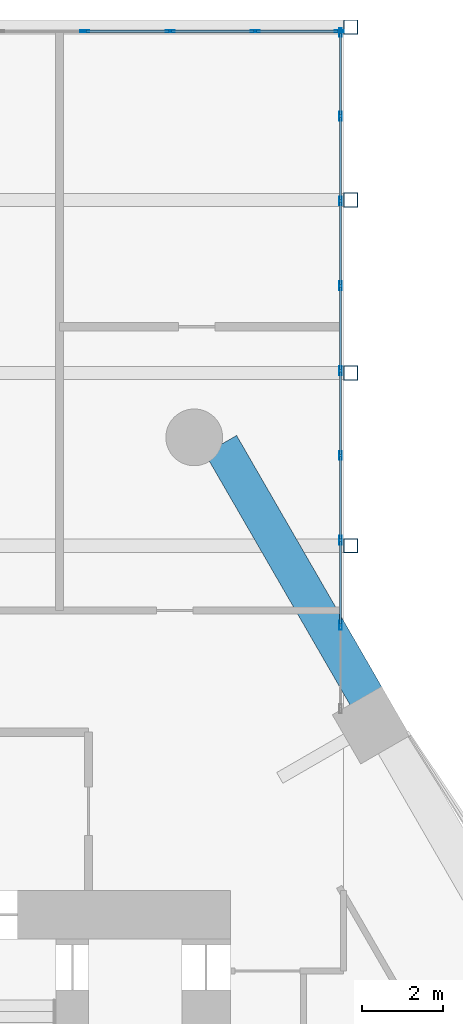
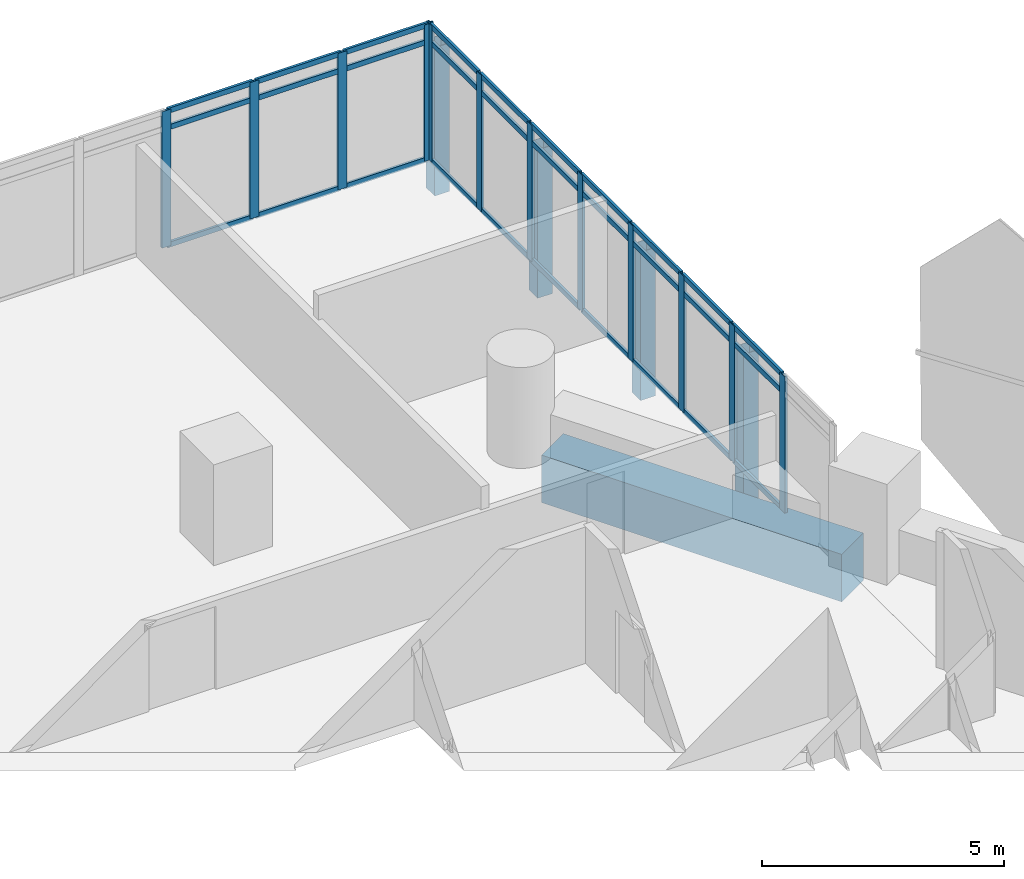
# One storey, part 22 of 35: 46 members, 1 beam, 2 elements without a shape of their own.
"""IFC4 building model written with IfcOpenShell, lengths in metres."""

from ifc_helpers import new_model, si_unit, direction, frame, origin, origin_2d, place, context, subcontext, project, spatial, rectangle, hollow_rectangle, extrude, material, material_profile, profile_set, type_object, element, aggregate, save


model = new_model("IFC4")

# Units and contexts
model_context = context("Model", 3, precision=1e-05, world=origin(), true_north=direction((0.0, 1.0)))
body_context = subcontext(model_context, "Body", "Model", "MODEL_VIEW")
ifc_project = project(units=[si_unit("LENGTHUNIT", "METRE"), si_unit("AREAUNIT", "SQUARE_METRE"), si_unit("VOLUMEUNIT", "CUBIC_METRE"), si_unit("PLANEANGLEUNIT", "RADIAN"), si_unit("MASSUNIT", "GRAM", prefix="KILO")], contexts=[model_context])

# Site, building, storey
site_placement = place(None, origin())
site = spatial("IfcSite", under=ifc_project, at=site_placement, CompositionType="ELEMENT")
building_placement = place(site_placement, origin())
building = spatial("IfcBuilding", under=site, at=building_placement, Name="Ostrander Bayou Hotel Tower", CompositionType="ELEMENT")
storey_placement = place(building_placement, frame((0.0, 0.0, 69.25)))
storey = spatial("IfcBuildingStorey", under=building, at=storey_placement, Name="L17", CompositionType="ELEMENT", Elevation=69.25)

# Curtain wall, members
ifc_material_1 = material(Name="Aluminium and clear glass", Category="aluminium")
curtain_wall_type = type_object("IfcCurtainWallType", Name="CW-BAR glazed wall", PredefinedType="NOTDEFINED", material=ifc_material_1)
curtain_wall_1_placement = place(storey_placement, origin())
curtain_wall_1 = element("IfcCurtainWall", 1, at=curtain_wall_1_placement, inside=storey, type_object=curtain_wall_type, Name="CW-BAR L17:SB1N:T", PredefinedType="NOTDEFINED")
ifc_material_2 = material(Name="Aluminium", Category="aluminium")
ifc_material_profile_1 = material_profile(ifc_material_2, hollow_rectangle(XDim=0.06005859375, YDim=0.219970703125, WallThickness=0.00390625, at=origin_2d()))
ifc_profile_set_1 = profile_set([ifc_material_profile_1], Name="Aluminium")
member_type_1 = type_object("IfcMemberType", Name="CW-BR mullion 60 x 220 mm", PredefinedType="MULLION", material=ifc_profile_set_1)
member_1_placement = place(storey_placement, frame((8.406982421875, 30.88623046875, 0.0), z_axis=(0.0, 0.0, 1.0), x_axis=(0.0, 1.0, 0.0)))
member_1 = element("IfcMember", 2, at=member_1_placement, type_object=member_type_1, Name="CW-BAR mullion 12", PredefinedType="MULLION", context=body_context, shape_type="SweptSolid", body=[
    extrude(hollow_rectangle(XDim=0.06005859375, YDim=0.219970703125, WallThickness=0.00390625, at=origin_2d()), origin(), (0.0, 0.0, 1.0), 3.449951171875),
])
member_2_placement = place(storey_placement, frame((10.5087890625, 30.88623046875, 0.0), z_axis=(0.0, 0.0, 1.0), x_axis=(0.0, 1.0, 0.0)))
member_2 = element("IfcMember", 3, at=member_2_placement, type_object=member_type_1, Name="CW-BAR mullion 13", PredefinedType="MULLION", context=body_context, shape_type="SweptSolid", body=[
    extrude(hollow_rectangle(XDim=0.06005859375, YDim=0.219970703125, WallThickness=0.00390625, at=origin_2d()), origin(), (0.0, 0.0, 1.0), 3.449951171875),
])
member_3_placement = place(storey_placement, frame((12.6103515625, 30.88623046875, 0.0), z_axis=(0.0, 0.0, 1.0), x_axis=(0.0, 1.0, 0.0)))
member_3 = element("IfcMember", 4, at=member_3_placement, type_object=member_type_1, Name="CW-BAR mullion 14", PredefinedType="MULLION", context=body_context, shape_type="SweptSolid", body=[
    extrude(hollow_rectangle(XDim=0.06005859375, YDim=0.219970703125, WallThickness=0.00390625, at=origin_2d()), origin(), (0.0, 0.0, 1.0), 3.449951171875),
])
member_4_placement = place(storey_placement, frame((14.68212890625, 30.88623046875, 0.0), z_axis=(0.0, 0.0, 1.0), x_axis=(0.0, 1.0, 0.0)))
member_4 = element("IfcMember", 5, at=member_4_placement, type_object=member_type_1, Name="CW-BAR mullion 15", PredefinedType="MULLION", context=body_context, shape_type="SweptSolid", body=[
    extrude(hollow_rectangle(XDim=0.06005859375, YDim=0.219970703125, WallThickness=0.00390625, at=origin_2d()), origin(), (0.0, 0.0, 1.0), 3.449951171875),
])

curtain_wall_2_placement = place(storey_placement, origin())
curtain_wall_2 = element("IfcCurtainWall", 6, at=curtain_wall_2_placement, inside=storey, type_object=curtain_wall_type, Name="CW-BAR L17:SB1N:W", PredefinedType="NOTDEFINED")
member_5_placement = place(storey_placement, frame((14.712158203125, 16.2392578125, 0.0), z_axis=(0.0, 0.0, 1.0), x_axis=(-1.0, 0.0, 0.0)))
member_5 = element("IfcMember", 7, at=member_5_placement, type_object=member_type_1, Name="CW-BAR mullion 2", PredefinedType="MULLION", context=body_context, shape_type="SweptSolid", body=[
    extrude(hollow_rectangle(XDim=0.06005859375, YDim=0.219970703125, WallThickness=0.00390625, at=origin_2d()), origin(), (0.0, 0.0, 1.0), 3.449951171875),
])
member_6_placement = place(storey_placement, frame((14.712158203125, 18.33154296875, 0.0), z_axis=(0.0, 0.0, 1.0), x_axis=(-1.0, 0.0, 0.0)))
member_6 = element("IfcMember", 8, at=member_6_placement, type_object=member_type_1, Name="CW-BAR mullion 3", PredefinedType="MULLION", context=body_context, shape_type="SweptSolid", body=[
    extrude(hollow_rectangle(XDim=0.06005859375, YDim=0.219970703125, WallThickness=0.00390625, at=origin_2d()), origin(), (0.0, 0.0, 1.0), 3.449951171875),
])
member_7_placement = place(storey_placement, frame((14.712158203125, 20.424072265625, 0.0), z_axis=(0.0, 0.0, 1.0), x_axis=(-1.0, 0.0, 0.0)))
member_7 = element("IfcMember", 9, at=member_7_placement, type_object=member_type_1, Name="CW-BAR mullion 4", PredefinedType="MULLION", context=body_context, shape_type="SweptSolid", body=[
    extrude(hollow_rectangle(XDim=0.06005859375, YDim=0.219970703125, WallThickness=0.00390625, at=origin_2d()), origin(), (0.0, 0.0, 1.0), 3.449951171875),
])
member_8_placement = place(storey_placement, frame((14.712158203125, 22.5166015625, 0.0), z_axis=(0.0, 0.0, 1.0), x_axis=(-1.0, 0.0, 0.0)))
member_8 = element("IfcMember", 10, at=member_8_placement, type_object=member_type_1, Name="CW-BAR mullion 5", PredefinedType="MULLION", context=body_context, shape_type="SweptSolid", body=[
    extrude(hollow_rectangle(XDim=0.06005859375, YDim=0.219970703125, WallThickness=0.00390625, at=origin_2d()), origin(), (0.0, 0.0, 1.0), 3.449951171875),
])
member_9_placement = place(storey_placement, frame((14.712158203125, 24.60888671875, 0.0), z_axis=(0.0, 0.0, 1.0), x_axis=(-1.0, 0.0, 0.0)))
member_9 = element("IfcMember", 11, at=member_9_placement, type_object=member_type_1, Name="CW-BAR mullion 6", PredefinedType="MULLION", context=body_context, shape_type="SweptSolid", body=[
    extrude(hollow_rectangle(XDim=0.06005859375, YDim=0.219970703125, WallThickness=0.00390625, at=origin_2d()), origin(), (0.0, 0.0, 1.0), 3.449951171875),
])
member_10_placement = place(storey_placement, frame((14.712158203125, 26.701416015625, 0.0), z_axis=(0.0, 0.0, 1.0), x_axis=(-1.0, 0.0, 0.0)))
member_10 = element("IfcMember", 12, at=member_10_placement, type_object=member_type_1, Name="CW-BAR mullion 7", PredefinedType="MULLION", context=body_context, shape_type="SweptSolid", body=[
    extrude(hollow_rectangle(XDim=0.06005859375, YDim=0.219970703125, WallThickness=0.00390625, at=origin_2d()), origin(), (0.0, 0.0, 1.0), 3.449951171875),
])
member_11_placement = place(storey_placement, frame((14.712158203125, 28.793701171875, 0.0), z_axis=(0.0, 0.0, 1.0), x_axis=(-1.0, 0.0, 0.0)))
member_11 = element("IfcMember", 13, at=member_11_placement, type_object=member_type_1, Name="CW-BAR mullion 8", PredefinedType="MULLION", context=body_context, shape_type="SweptSolid", body=[
    extrude(hollow_rectangle(XDim=0.06005859375, YDim=0.219970703125, WallThickness=0.00390625, at=origin_2d()), origin(), (0.0, 0.0, 1.0), 3.449951171875),
])
member_12_placement = place(storey_placement, frame((14.712158203125, 30.856201171875, 0.0), z_axis=(0.0, 0.0, 1.0), x_axis=(-1.0, 0.0, 0.0)))
member_12 = element("IfcMember", 14, at=member_12_placement, type_object=member_type_1, Name="CW-BAR mullion 9", PredefinedType="MULLION", context=body_context, shape_type="SweptSolid", body=[
    extrude(hollow_rectangle(XDim=0.06005859375, YDim=0.219970703125, WallThickness=0.00390625, at=origin_2d()), origin(), (0.0, 0.0, 1.0), 3.449951171875),
])

# Member
ifc_material_3 = material(Name="Aluminium", Category="aluminium")
ifc_material_profile_2 = material_profile(ifc_material_3, hollow_rectangle(XDim=0.06005859375, YDim=0.1298828125, WallThickness=0.00390625, at=origin_2d()))
ifc_profile_set_2 = profile_set([ifc_material_profile_2], Name="Aluminium")
member_type_2 = type_object("IfcMemberType", Name="CW-BR transom 60 x 130 mm", PredefinedType="USERDEFINED", material=ifc_profile_set_2)
member_13_placement = place(storey_placement, frame((8.43701171875, 30.88623046875, 0.030029296875), z_axis=(1.0, 0.0, 0.0), x_axis=(0.0, 1.0, 0.0)))
member_13 = element("IfcMember", 15, at=member_13_placement, type_object=member_type_2, Name="CW-BAR transom 12.1", ObjectType="TRANSOM", PredefinedType="USERDEFINED", context=body_context, shape_type="SweptSolid", body=[
    extrude(hollow_rectangle(XDim=0.06005859375, YDim=0.1298828125, WallThickness=0.00390625, at=origin_2d()), origin(), (0.0, 0.0, 1.0), 2.041748046875),
])

member_14_placement = place(storey_placement, frame((8.43701171875, 30.88623046875, 3.0), z_axis=(1.0, 0.0, 0.0), x_axis=(0.0, 1.0, 0.0)))
member_14 = element("IfcMember", 16, at=member_14_placement, type_object=member_type_2, Name="CW-BAR transom 12.2", ObjectType="TRANSOM", PredefinedType="USERDEFINED", context=body_context, shape_type="SweptSolid", body=[
    extrude(hollow_rectangle(XDim=0.06005859375, YDim=0.1298828125, WallThickness=0.00390625, at=origin_2d()), origin(), (0.0, 0.0, 1.0), 2.041748046875),
])

member_15_placement = place(storey_placement, frame((8.43701171875, 30.88623046875, 3.419921875), z_axis=(1.0, 0.0, 0.0), x_axis=(0.0, 1.0, 0.0)))
member_15 = element("IfcMember", 17, at=member_15_placement, type_object=member_type_2, Name="CW-BAR transom 12.3", ObjectType="TRANSOM", PredefinedType="USERDEFINED", context=body_context, shape_type="SweptSolid", body=[
    extrude(hollow_rectangle(XDim=0.06005859375, YDim=0.1298828125, WallThickness=0.00390625, at=origin_2d()), origin(), (0.0, 0.0, 1.0), 2.041748046875),
])

member_16_placement = place(storey_placement, frame((10.538818359375, 30.88623046875, 0.030029296875), z_axis=(1.0, 0.0, 0.0), x_axis=(0.0, 1.0, 0.0)))
member_16 = element("IfcMember", 18, at=member_16_placement, type_object=member_type_2, Name="CW-BAR transom 13.1", ObjectType="TRANSOM", PredefinedType="USERDEFINED", context=body_context, shape_type="SweptSolid", body=[
    extrude(hollow_rectangle(XDim=0.06005859375, YDim=0.1298828125, WallThickness=0.00390625, at=origin_2d()), origin(), (0.0, 0.0, 1.0), 2.041748046875),
])

member_17_placement = place(storey_placement, frame((10.538818359375, 30.88623046875, 3.0), z_axis=(1.0, 0.0, 0.0), x_axis=(0.0, 1.0, 0.0)))
member_17 = element("IfcMember", 19, at=member_17_placement, type_object=member_type_2, Name="CW-BAR transom 13.2", ObjectType="TRANSOM", PredefinedType="USERDEFINED", context=body_context, shape_type="SweptSolid", body=[
    extrude(hollow_rectangle(XDim=0.06005859375, YDim=0.1298828125, WallThickness=0.00390625, at=origin_2d()), origin(), (0.0, 0.0, 1.0), 2.041748046875),
])

member_18_placement = place(storey_placement, frame((10.538818359375, 30.88623046875, 3.419921875), z_axis=(1.0, 0.0, 0.0), x_axis=(0.0, 1.0, 0.0)))
member_18 = element("IfcMember", 20, at=member_18_placement, type_object=member_type_2, Name="CW-BAR transom 13.3", ObjectType="TRANSOM", PredefinedType="USERDEFINED", context=body_context, shape_type="SweptSolid", body=[
    extrude(hollow_rectangle(XDim=0.06005859375, YDim=0.1298828125, WallThickness=0.00390625, at=origin_2d()), origin(), (0.0, 0.0, 1.0), 2.041748046875),
])

member_19_placement = place(storey_placement, frame((12.640380859375, 30.88623046875, 0.030029296875), z_axis=(1.0, 0.0, 0.0), x_axis=(0.0, 1.0, 0.0)))
member_19 = element("IfcMember", 21, at=member_19_placement, type_object=member_type_2, Name="CW-BAR transom 14.1", ObjectType="TRANSOM", PredefinedType="USERDEFINED", context=body_context, shape_type="SweptSolid", body=[
    extrude(hollow_rectangle(XDim=0.06005859375, YDim=0.1298828125, WallThickness=0.00390625, at=origin_2d()), origin(), (0.0, 0.0, 1.0), 2.01171875),
])

member_20_placement = place(storey_placement, frame((12.640380859375, 30.88623046875, 3.0), z_axis=(1.0, 0.0, 0.0), x_axis=(0.0, 1.0, 0.0)))
member_20 = element("IfcMember", 22, at=member_20_placement, type_object=member_type_2, Name="CW-BAR transom 14.2", ObjectType="TRANSOM", PredefinedType="USERDEFINED", context=body_context, shape_type="SweptSolid", body=[
    extrude(hollow_rectangle(XDim=0.06005859375, YDim=0.1298828125, WallThickness=0.00390625, at=origin_2d()), origin(), (0.0, 0.0, 1.0), 2.01171875),
])

member_21_placement = place(storey_placement, frame((12.640380859375, 30.88623046875, 3.419921875), z_axis=(1.0, 0.0, 0.0), x_axis=(0.0, 1.0, 0.0)))
member_21 = element("IfcMember", 23, at=member_21_placement, type_object=member_type_2, Name="CW-BAR transom 14.3", ObjectType="TRANSOM", PredefinedType="USERDEFINED", context=body_context, shape_type="SweptSolid", body=[
    extrude(hollow_rectangle(XDim=0.06005859375, YDim=0.1298828125, WallThickness=0.00390625, at=origin_2d()), origin(), (0.0, 0.0, 1.0), 2.01171875),
])

aggregate(curtain_wall_1, [member_1, member_2, member_3, member_4, member_13, member_14, member_15, member_16, member_17, member_18, member_19, member_20, member_21])

member_22_placement = place(storey_placement, frame((14.712158203125, 16.269287109375, 0.030029296875), z_axis=(0.0, 1.0, 0.0), x_axis=(-1.0, 0.0, 0.0)))
member_22 = element("IfcMember", 24, at=member_22_placement, type_object=member_type_2, Name="CW-BAR transom 2.1", ObjectType="TRANSOM", PredefinedType="USERDEFINED", context=body_context, shape_type="SweptSolid", body=[
    extrude(hollow_rectangle(XDim=0.06005859375, YDim=0.1298828125, WallThickness=0.00390625, at=origin_2d()), origin(), (0.0, 0.0, 1.0), 2.032470703125),
])

member_23_placement = place(storey_placement, frame((14.712158203125, 16.269287109375, 3.0), z_axis=(0.0, 1.0, 0.0), x_axis=(-1.0, 0.0, 0.0)))
member_23 = element("IfcMember", 25, at=member_23_placement, type_object=member_type_2, Name="CW-BAR transom 2.2", ObjectType="TRANSOM", PredefinedType="USERDEFINED", context=body_context, shape_type="SweptSolid", body=[
    extrude(hollow_rectangle(XDim=0.06005859375, YDim=0.1298828125, WallThickness=0.00390625, at=origin_2d()), origin(), (0.0, 0.0, 1.0), 2.032470703125),
])

member_24_placement = place(storey_placement, frame((14.712158203125, 16.269287109375, 3.419921875), z_axis=(0.0, 1.0, 0.0), x_axis=(-1.0, 0.0, 0.0)))
member_24 = element("IfcMember", 26, at=member_24_placement, type_object=member_type_2, Name="CW-BAR transom 2.3", ObjectType="TRANSOM", PredefinedType="USERDEFINED", context=body_context, shape_type="SweptSolid", body=[
    extrude(hollow_rectangle(XDim=0.06005859375, YDim=0.1298828125, WallThickness=0.00390625, at=origin_2d()), origin(), (0.0, 0.0, 1.0), 2.032470703125),
])

member_25_placement = place(storey_placement, frame((14.712158203125, 18.361572265625, 0.030029296875), z_axis=(0.0, 1.0, 0.0), x_axis=(-1.0, 0.0, 0.0)))
member_25 = element("IfcMember", 27, at=member_25_placement, type_object=member_type_2, Name="CW-BAR transom 3.1", ObjectType="TRANSOM", PredefinedType="USERDEFINED", context=body_context, shape_type="SweptSolid", body=[
    extrude(hollow_rectangle(XDim=0.06005859375, YDim=0.1298828125, WallThickness=0.00390625, at=origin_2d()), origin(), (0.0, 0.0, 1.0), 2.032470703125),
])

member_26_placement = place(storey_placement, frame((14.712158203125, 18.361572265625, 3.0), z_axis=(0.0, 1.0, 0.0), x_axis=(-1.0, 0.0, 0.0)))
member_26 = element("IfcMember", 28, at=member_26_placement, type_object=member_type_2, Name="CW-BAR transom 3.2", ObjectType="TRANSOM", PredefinedType="USERDEFINED", context=body_context, shape_type="SweptSolid", body=[
    extrude(hollow_rectangle(XDim=0.06005859375, YDim=0.1298828125, WallThickness=0.00390625, at=origin_2d()), origin(), (0.0, 0.0, 1.0), 2.032470703125),
])

member_27_placement = place(storey_placement, frame((14.712158203125, 18.361572265625, 3.419921875), z_axis=(0.0, 1.0, 0.0), x_axis=(-1.0, 0.0, 0.0)))
member_27 = element("IfcMember", 29, at=member_27_placement, type_object=member_type_2, Name="CW-BAR transom 3.3", ObjectType="TRANSOM", PredefinedType="USERDEFINED", context=body_context, shape_type="SweptSolid", body=[
    extrude(hollow_rectangle(XDim=0.06005859375, YDim=0.1298828125, WallThickness=0.00390625, at=origin_2d()), origin(), (0.0, 0.0, 1.0), 2.032470703125),
])

member_28_placement = place(storey_placement, frame((14.712158203125, 20.4541015625, 0.030029296875), z_axis=(0.0, 1.0, 0.0), x_axis=(-1.0, 0.0, 0.0)))
member_28 = element("IfcMember", 30, at=member_28_placement, type_object=member_type_2, Name="CW-BAR transom 4.1", ObjectType="TRANSOM", PredefinedType="USERDEFINED", context=body_context, shape_type="SweptSolid", body=[
    extrude(hollow_rectangle(XDim=0.06005859375, YDim=0.1298828125, WallThickness=0.00390625, at=origin_2d()), origin(), (0.0, 0.0, 1.0), 2.032470703125),
])

member_29_placement = place(storey_placement, frame((14.712158203125, 20.4541015625, 3.0), z_axis=(0.0, 1.0, 0.0), x_axis=(-1.0, 0.0, 0.0)))
member_29 = element("IfcMember", 31, at=member_29_placement, type_object=member_type_2, Name="CW-BAR transom 4.2", ObjectType="TRANSOM", PredefinedType="USERDEFINED", context=body_context, shape_type="SweptSolid", body=[
    extrude(hollow_rectangle(XDim=0.06005859375, YDim=0.1298828125, WallThickness=0.00390625, at=origin_2d()), origin(), (0.0, 0.0, 1.0), 2.032470703125),
])

member_30_placement = place(storey_placement, frame((14.712158203125, 20.4541015625, 3.419921875), z_axis=(0.0, 1.0, 0.0), x_axis=(-1.0, 0.0, 0.0)))
member_30 = element("IfcMember", 32, at=member_30_placement, type_object=member_type_2, Name="CW-BAR transom 4.3", ObjectType="TRANSOM", PredefinedType="USERDEFINED", context=body_context, shape_type="SweptSolid", body=[
    extrude(hollow_rectangle(XDim=0.06005859375, YDim=0.1298828125, WallThickness=0.00390625, at=origin_2d()), origin(), (0.0, 0.0, 1.0), 2.032470703125),
])

member_31_placement = place(storey_placement, frame((14.712158203125, 22.54638671875, 0.030029296875), z_axis=(0.0, 1.0, 0.0), x_axis=(-1.0, 0.0, 0.0)))
member_31 = element("IfcMember", 33, at=member_31_placement, type_object=member_type_2, Name="CW-BAR transom 5.1", ObjectType="TRANSOM", PredefinedType="USERDEFINED", context=body_context, shape_type="SweptSolid", body=[
    extrude(hollow_rectangle(XDim=0.06005859375, YDim=0.1298828125, WallThickness=0.00390625, at=origin_2d()), origin(), (0.0, 0.0, 1.0), 2.032470703125),
])

member_32_placement = place(storey_placement, frame((14.712158203125, 22.54638671875, 3.0), z_axis=(0.0, 1.0, 0.0), x_axis=(-1.0, 0.0, 0.0)))
member_32 = element("IfcMember", 34, at=member_32_placement, type_object=member_type_2, Name="CW-BAR transom 5.2", ObjectType="TRANSOM", PredefinedType="USERDEFINED", context=body_context, shape_type="SweptSolid", body=[
    extrude(hollow_rectangle(XDim=0.06005859375, YDim=0.1298828125, WallThickness=0.00390625, at=origin_2d()), origin(), (0.0, 0.0, 1.0), 2.032470703125),
])

member_33_placement = place(storey_placement, frame((14.712158203125, 22.54638671875, 3.419921875), z_axis=(0.0, 1.0, 0.0), x_axis=(-1.0, 0.0, 0.0)))
member_33 = element("IfcMember", 35, at=member_33_placement, type_object=member_type_2, Name="CW-BAR transom 5.3", ObjectType="TRANSOM", PredefinedType="USERDEFINED", context=body_context, shape_type="SweptSolid", body=[
    extrude(hollow_rectangle(XDim=0.06005859375, YDim=0.1298828125, WallThickness=0.00390625, at=origin_2d()), origin(), (0.0, 0.0, 1.0), 2.032470703125),
])

member_34_placement = place(storey_placement, frame((14.712158203125, 24.638916015625, 0.030029296875), z_axis=(0.0, 1.0, 0.0), x_axis=(-1.0, 0.0, 0.0)))
member_34 = element("IfcMember", 36, at=member_34_placement, type_object=member_type_2, Name="CW-BAR transom 6.1", ObjectType="TRANSOM", PredefinedType="USERDEFINED", context=body_context, shape_type="SweptSolid", body=[
    extrude(hollow_rectangle(XDim=0.06005859375, YDim=0.1298828125, WallThickness=0.00390625, at=origin_2d()), origin(), (0.0, 0.0, 1.0), 2.032470703125),
])

member_35_placement = place(storey_placement, frame((14.712158203125, 24.638916015625, 3.0), z_axis=(0.0, 1.0, 0.0), x_axis=(-1.0, 0.0, 0.0)))
member_35 = element("IfcMember", 37, at=member_35_placement, type_object=member_type_2, Name="CW-BAR transom 6.2", ObjectType="TRANSOM", PredefinedType="USERDEFINED", context=body_context, shape_type="SweptSolid", body=[
    extrude(hollow_rectangle(XDim=0.06005859375, YDim=0.1298828125, WallThickness=0.00390625, at=origin_2d()), origin(), (0.0, 0.0, 1.0), 2.032470703125),
])

member_36_placement = place(storey_placement, frame((14.712158203125, 24.638916015625, 3.419921875), z_axis=(0.0, 1.0, 0.0), x_axis=(-1.0, 0.0, 0.0)))
member_36 = element("IfcMember", 38, at=member_36_placement, type_object=member_type_2, Name="CW-BAR transom 6.3", ObjectType="TRANSOM", PredefinedType="USERDEFINED", context=body_context, shape_type="SweptSolid", body=[
    extrude(hollow_rectangle(XDim=0.06005859375, YDim=0.1298828125, WallThickness=0.00390625, at=origin_2d()), origin(), (0.0, 0.0, 1.0), 2.032470703125),
])

member_37_placement = place(storey_placement, frame((14.712158203125, 26.7314453125, 0.030029296875), z_axis=(0.0, 1.0, 0.0), x_axis=(-1.0, 0.0, 0.0)))
member_37 = element("IfcMember", 39, at=member_37_placement, type_object=member_type_2, Name="CW-BAR transom 7.1", ObjectType="TRANSOM", PredefinedType="USERDEFINED", context=body_context, shape_type="SweptSolid", body=[
    extrude(hollow_rectangle(XDim=0.06005859375, YDim=0.1298828125, WallThickness=0.00390625, at=origin_2d()), origin(), (0.0, 0.0, 1.0), 2.0322265625),
])

member_38_placement = place(storey_placement, frame((14.712158203125, 26.7314453125, 3.0), z_axis=(0.0, 1.0, 0.0), x_axis=(-1.0, 0.0, 0.0)))
member_38 = element("IfcMember", 40, at=member_38_placement, type_object=member_type_2, Name="CW-BAR transom 7.2", ObjectType="TRANSOM", PredefinedType="USERDEFINED", context=body_context, shape_type="SweptSolid", body=[
    extrude(hollow_rectangle(XDim=0.06005859375, YDim=0.1298828125, WallThickness=0.00390625, at=origin_2d()), origin(), (0.0, 0.0, 1.0), 2.0322265625),
])

member_39_placement = place(storey_placement, frame((14.712158203125, 26.7314453125, 3.419921875), z_axis=(0.0, 1.0, 0.0), x_axis=(-1.0, 0.0, 0.0)))
member_39 = element("IfcMember", 41, at=member_39_placement, type_object=member_type_2, Name="CW-BAR transom 7.3", ObjectType="TRANSOM", PredefinedType="USERDEFINED", context=body_context, shape_type="SweptSolid", body=[
    extrude(hollow_rectangle(XDim=0.06005859375, YDim=0.1298828125, WallThickness=0.00390625, at=origin_2d()), origin(), (0.0, 0.0, 1.0), 2.0322265625),
])

member_40_placement = place(storey_placement, frame((14.712158203125, 28.82373046875, 0.030029296875), z_axis=(0.0, 1.0, 0.0), x_axis=(-1.0, 0.0, 0.0)))
member_40 = element("IfcMember", 42, at=member_40_placement, type_object=member_type_2, Name="CW-BAR transom 8.1", ObjectType="TRANSOM", PredefinedType="USERDEFINED", context=body_context, shape_type="SweptSolid", body=[
    extrude(hollow_rectangle(XDim=0.06005859375, YDim=0.1298828125, WallThickness=0.00390625, at=origin_2d()), origin(), (0.0, 0.0, 1.0), 2.00244140625),
])

member_41_placement = place(storey_placement, frame((14.712158203125, 28.82373046875, 3.0), z_axis=(0.0, 1.0, 0.0), x_axis=(-1.0, 0.0, 0.0)))
member_41 = element("IfcMember", 43, at=member_41_placement, type_object=member_type_2, Name="CW-BAR transom 8.2", ObjectType="TRANSOM", PredefinedType="USERDEFINED", context=body_context, shape_type="SweptSolid", body=[
    extrude(hollow_rectangle(XDim=0.06005859375, YDim=0.1298828125, WallThickness=0.00390625, at=origin_2d()), origin(), (0.0, 0.0, 1.0), 2.00244140625),
])

member_42_placement = place(storey_placement, frame((14.712158203125, 28.82373046875, 3.419921875), z_axis=(0.0, 1.0, 0.0), x_axis=(-1.0, 0.0, 0.0)))
member_42 = element("IfcMember", 44, at=member_42_placement, type_object=member_type_2, Name="CW-BAR transom 8.3", ObjectType="TRANSOM", PredefinedType="USERDEFINED", context=body_context, shape_type="SweptSolid", body=[
    extrude(hollow_rectangle(XDim=0.06005859375, YDim=0.1298828125, WallThickness=0.00390625, at=origin_2d()), origin(), (0.0, 0.0, 1.0), 2.00244140625),
])

aggregate(curtain_wall_2, [member_5, member_6, member_7, member_8, member_9, member_10, member_11, member_12, member_22, member_23, member_24, member_25, member_26, member_27, member_28, member_29, member_30, member_31, member_32, member_33, member_34, member_35, member_36, member_37, member_38, member_39, member_40, member_41, member_42])

# Beam
ifc_material_4 = material(Name="Concrete f'c 70 MPa", Category="concrete")
ifc_material_profile_3 = material_profile(ifc_material_4, rectangle(XDim=0.89990234375, YDim=1.199951171875, at=origin_2d()))
ifc_profile_set_3 = profile_set([ifc_material_profile_3], Name="Concrete f'c 70 MPa")
beam_type = type_object("IfcBeamType", Name="SP1 spandrel beam 900 x 1200 mm f'c 70 MPa", PredefinedType="SPANDREL", material=ifc_profile_set_3)
beam_placement = place(storey_placement, frame((15.348388671875, 14.4794921875, -0.60009765625), z_axis=(-0.500014005679, 0.866017317451, 0.0), x_axis=(-0.866017317451, -0.500014005679, 0.0)))
element("IfcBeam", 45, at=beam_placement, inside=storey, type_object=beam_type, Name="SP1 L17 NE-3", PredefinedType="SPANDREL", context=body_context, shape_type="SweptSolid", body=[
    extrude(rectangle(XDim=0.89990234375, YDim=1.199951171875, at=origin_2d()), origin(), (0.0, 0.0, 1.0), 7.176025390625),
])

# Members
ifc_material_5 = material(Name="Steel ASTM A500 Gr C", Category="steel")
ifc_material_profile_4 = material_profile(ifc_material_5, hollow_rectangle(XDim=0.355712890625, YDim=0.355712890625, WallThickness=0.01171875, at=origin_2d()))
ifc_profile_set_4 = profile_set([ifc_material_profile_4], Name="Steel ASTM A500 Gr C")
member_type_3 = type_object("IfcMemberType", Name="TH2 bar hanger HSS14x14x1/2", PredefinedType="POST", material=ifc_profile_set_4)
for number, where, z_axis, x_axis, name in (
    (46, (14.965087890625, 30.986083984375, -0.921875), (0.0, 0.0, 1.0), (1.0, 0.0, 0.0), "TH2 SB1WB H1-2"),
    (47, (14.965087890625, 26.723876953125, -0.921875), (0.0, 0.0, 1.0), (1.0, 0.0, 0.0), "TH2 SB1WB H2-2"),
    (48, (14.965087890625, 22.46142578125, -0.921875), (0.0, 0.0, 1.0), (1.0, 0.0, 0.0), "TH2 SB1WB H3-2"),
    (49, (14.965087890625, 18.198974609375, -0.921875), (0.0, 0.0, 1.0), (1.0, 0.0, 0.0), "TH2 SB1WB H4-2"),
):
    element("IfcMember", number, at=place(storey_placement, frame(where, z_axis=z_axis, x_axis=x_axis)), inside=storey, type_object=member_type_3, Name=name, PredefinedType="POST", context=body_context, shape_type="SweptSolid", body=[
        extrude(hollow_rectangle(XDim=0.355712890625, YDim=0.355712890625, WallThickness=0.01171875, at=origin_2d()), origin(), (0.0, 0.0, 1.0), 3.75),
    ])

save(model, "model.ifc")
